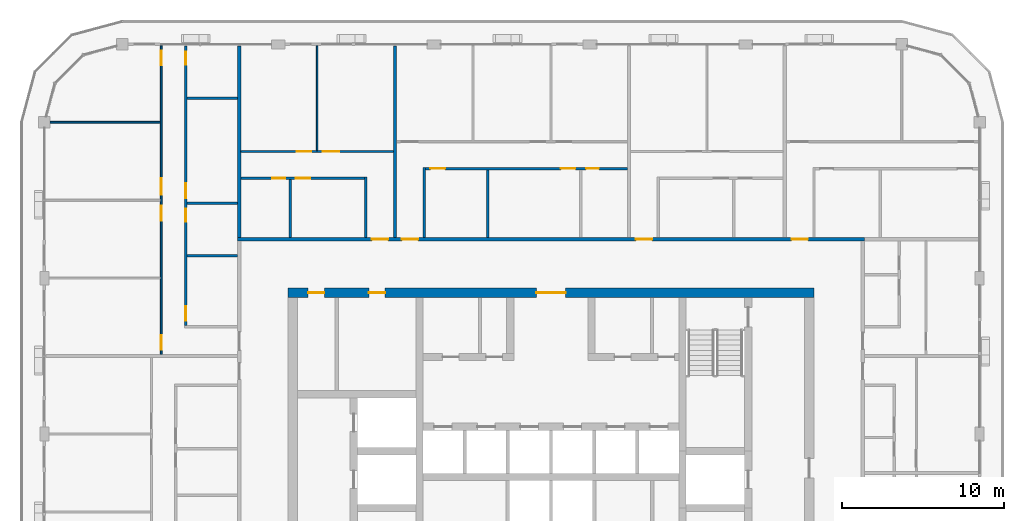
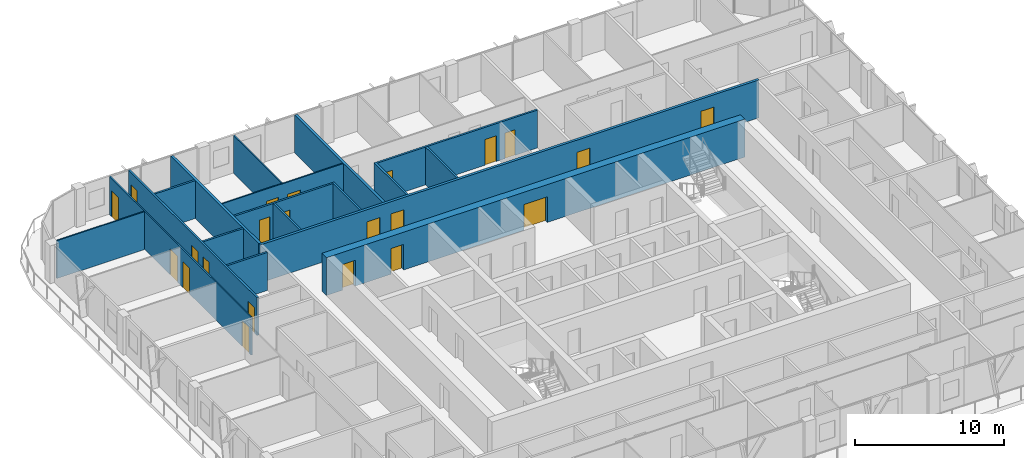
# One storey, part 14 of 22: 22 doors, 18 walls, 22 openings.
"""IFC4 building model written with IfcOpenShell, lengths in metres."""

import ifcopenshell
import ifcopenshell.guid

model = None  # the IFC model being written
_history = None  # IfcOwnerHistory: only IFC2X3 demands one
_inside = {}  # id of a spatial element -> (the spatial element, [elements in it])
_under = {}  # id of a project, library or spatial element -> (it, [spatial elements below it])
_declared = {}  # id of a project -> (the project, [libraries it declares])
_typed = {}  # id of a type object -> (the type object, [elements of that type])
_made_of = {}  # id of a material, layer set ... -> (it, [elements and type objects made of it])


def new_model(schema):
    """Start an empty IFC model of exactly this schema.

    Asked for "IFC4X3", IfcOpenShell would pick the latest addendum, in which some entities
    have other attributes; the version numbers below select the first issue.
    IFC2X3 requires an IfcOwnerHistory on every rooted entity: one is made here for all.
    """
    global model, _history
    if schema == "IFC4X3":
        model = ifcopenshell.file(schema_version=(4, 3, 0, 0))
    else:
        model = ifcopenshell.file(schema=schema)
    _inside.clear()
    _under.clear()
    _declared.clear()
    _typed.clear()
    _made_of.clear()
    _history = None
    if model.schema == "IFC2X3":
        org = make("IfcOrganization", Name="unknown")
        user = make(
            "IfcPersonAndOrganization",
            ThePerson=make("IfcPerson", FamilyName="unknown"),
            TheOrganization=org,
        )
        app = make(
            "IfcApplication",
            ApplicationDeveloper=org,
            Version="unknown",
            ApplicationFullName="unknown",
            ApplicationIdentifier="unknown",
        )
        _history = make(
            "IfcOwnerHistory",
            OwningUser=user,
            OwningApplication=app,
            ChangeAction="ADDED",
            CreationDate=0,
        )
    return model


def make(cls, **values):
    """One entity of the class cls with the attributes given. An attribute that is None is left unset."""
    return model.create_entity(
        cls, **{name: value for name, value in values.items() if value is not None}
    )


def rooted(cls, **values):
    """An entity with a GlobalId (a new one), such as an element, a storey or a relation."""
    return make(cls, GlobalId=ifcopenshell.guid.new(), OwnerHistory=_history, **values)


def si_unit(unit_type, name, prefix=None):
    """IfcSIUnit, for example si_unit("LENGTHUNIT", "METRE", prefix="MILLI")."""
    return make("IfcSIUnit", UnitType=unit_type, Prefix=prefix, Name=name)


def assignment(units):
    """IfcUnitAssignment: the units of a project."""
    return None if units is None else make("IfcUnitAssignment", Units=units)


def point(xyz):
    """IfcCartesianPoint."""
    return None if xyz is None else make("IfcCartesianPoint", Coordinates=xyz)


def direction(xyz):
    """IfcDirection."""
    return None if xyz is None else make("IfcDirection", DirectionRatios=xyz)


def frame(location, z_axis=None, x_axis=None):
    """IfcAxis2Placement3D, a coordinate frame: its origin and axes. An axis left out is left unset."""
    return make(
        "IfcAxis2Placement3D",
        Location=point(location),
        Axis=direction(z_axis),
        RefDirection=direction(x_axis),
    )


def frame_2d(location, x_axis=None):
    """IfcAxis2Placement2D, a coordinate frame in the plane: its origin and x axis."""
    return make(
        "IfcAxis2Placement2D", Location=point(location), RefDirection=direction(x_axis)
    )


def origin():
    """The frame at (0, 0, 0) with its axes left unset."""
    return frame((0.0, 0.0, 0.0))


def place(relative_to, where):
    """IfcLocalPlacement: puts the frame where relative to a parent placement (None: the world)."""
    return make(
        "IfcLocalPlacement", PlacementRelTo=relative_to, RelativePlacement=where
    )


def context(
    kind, dimensions, precision=None, world=None, true_north=None, identifier=None
):
    """IfcGeometricRepresentationContext, for example the 3D "Model" context."""
    return make(
        "IfcGeometricRepresentationContext",
        ContextIdentifier=identifier,
        ContextType=kind,
        CoordinateSpaceDimension=dimensions,
        Precision=precision,
        WorldCoordinateSystem=world,
        TrueNorth=true_north,
    )


def subcontext(parent, identifier, kind, view, scale=None):
    """IfcGeometricRepresentationSubContext, for example "Body" below "Model"."""
    return make(
        "IfcGeometricRepresentationSubContext",
        ContextIdentifier=identifier,
        ContextType=kind,
        ParentContext=parent,
        TargetScale=scale,
        TargetView=view,
    )


def project(units=None, contexts=None):
    """IfcProject with its units and contexts."""
    return rooted(
        "IfcProject",
        Name="project",
        RepresentationContexts=contexts,
        UnitsInContext=assignment(units),
    )


def spatial(cls, under=None, at=None, **own):
    """A site, building, storey or space (cls), placed at a placement, below another one or the project."""
    s = rooted(cls, ObjectPlacement=at, **own)
    if under is not None:
        _under.setdefault(under.id(), (under, []))[1].append(s)
    return s


def profile(cls, at=None, kind="AREA", **sizes):
    """A parametric profile (cls). Its sizes go by their IFC names, for example OverallWidth=200.0."""
    return make(cls, ProfileType=kind, Position=at, **sizes)


def rectangle(**sizes):
    """IfcRectangleProfileDef."""
    return profile("IfcRectangleProfileDef", **sizes)


def extrude(swept, where, along, depth):
    """IfcExtrudedAreaSolid: the profile swept, set in the frame where, extruded along a direction by depth."""
    return make(
        "IfcExtrudedAreaSolid",
        SweptArea=swept,
        Position=where,
        ExtrudedDirection=direction(along),
        Depth=depth,
    )


def shape(context_of_items, identifier, shape_type, items):
    """IfcShapeRepresentation: the items that make up one representation, for example the "Body"."""
    return make(
        "IfcShapeRepresentation",
        ContextOfItems=context_of_items,
        RepresentationIdentifier=identifier,
        RepresentationType=shape_type,
        Items=items,
    )


def material(Name=None, Category=None):
    """IfcMaterial."""
    return make("IfcMaterial", Name=Name, Category=Category)


def layer(
    of_material, thickness, ventilated=None, Name=None, Category=None, Priority=None
):
    """IfcMaterialLayer: one layer of a wall or slab, of a material (None: an air gap)."""
    return make(
        "IfcMaterialLayer",
        Material=of_material,
        LayerThickness=thickness,
        IsVentilated=ventilated,
        Name=Name,
        Category=Category,
        Priority=Priority,
    )


def layer_set(layers, Name=None):
    """IfcMaterialLayerSet."""
    return make("IfcMaterialLayerSet", MaterialLayers=layers, LayerSetName=Name)


def made_of(thing, what):
    """Note that an element or type object is made of a material, layer set ...; save() writes the relation."""
    if what is not None:
        _made_of.setdefault(what.id(), (what, []))[1].append(thing)
    return thing


def type_object(cls, material=None, **own):
    """A type object (cls), such as IfcWallType, which elements share."""
    return made_of(rooted(cls, **own), material)


def element(
    cls,
    number,
    at=None,
    inside=None,
    cuts=None,
    type_object=None,
    material=None,
    context=None,
    identifier="Body",
    shape_type=None,
    held_by="IfcProductDefinitionShape",
    body=None,
    shapes=None,
    **own,
):
    """One element of the class cls, such as IfcWall. Its Tag is "e" and its number.

    at: its placement. inside: the storey or other place that contains it. cuts: it is an
    opening in that element (IfcRelVoidsElement). A single representation is given by context,
    identifier, shape_type and body (its items); several are given by shapes. held_by: the class
    of the entity that holds the representations. save() writes the other relations.
    """
    e = rooted(cls, Tag="e%d" % number, ObjectPlacement=at, **own)
    if body is not None:
        shapes = [shape(context, identifier, shape_type, body)]
    if shapes is not None:
        e.Representation = make(held_by, Representations=shapes)
    if inside is not None:
        _inside.setdefault(inside.id(), (inside, []))[1].append(e)
    if cuts is not None:
        rooted(
            "IfcRelVoidsElement", RelatingBuildingElement=cuts, RelatedOpeningElement=e
        )
    if type_object is not None:
        _typed.setdefault(type_object.id(), (type_object, []))[1].append(e)
    return made_of(e, material)


def fill(opening, filler):
    """IfcRelFillsElement: the door or window that sits in an opening."""
    return rooted(
        "IfcRelFillsElement",
        RelatingOpeningElement=opening,
        RelatedBuildingElement=filler,
    )


def aggregate(whole, parts):
    """IfcRelAggregates: a whole, such as a stair, and the parts it consists of."""
    return rooted("IfcRelAggregates", RelatingObject=whole, RelatedObjects=parts)


def save(model, path):
    """Write the relations noted so far, then the file.

    IfcRelAggregates (storeys below a building ...), IfcRelContainedInSpatialStructure (elements
    in a storey), IfcRelDefinesByType, IfcRelAssociatesMaterial and IfcRelDeclares: one each for
    every whole, place, type object, material and project.
    """
    for whole, parts in _under.values():
        aggregate(whole, parts)
    for where, things in _inside.values():
        rooted(
            "IfcRelContainedInSpatialStructure",
            RelatedElements=things,
            RelatingStructure=where,
        )
    for kind, things in _typed.values():
        rooted("IfcRelDefinesByType", RelatedObjects=things, RelatingType=kind)
    for what, things in _made_of.values():
        rooted("IfcRelAssociatesMaterial", RelatedObjects=things, RelatingMaterial=what)
    for by, libraries in _declared.values():
        rooted("IfcRelDeclares", RelatingContext=by, RelatedDefinitions=libraries)
    model.write(path)


model = new_model("IFC4")

# Units and contexts
model_context = context("Model", 3, precision=1e-05, world=origin(), true_north=direction((0.0, 1.0)))
body_context = subcontext(model_context, "Body", "Model", "MODEL_VIEW")
ifc_project = project(units=[si_unit("LENGTHUNIT", "METRE"), si_unit("AREAUNIT", "SQUARE_METRE"), si_unit("VOLUMEUNIT", "CUBIC_METRE"), si_unit("PLANEANGLEUNIT", "RADIAN"), si_unit("MASSUNIT", "GRAM", prefix="KILO")], contexts=[model_context])

# Site, building, storey
site_placement = place(None, origin())
site = spatial("IfcSite", under=ifc_project, at=site_placement, CompositionType="ELEMENT")
building_placement = place(site_placement, origin())
building = spatial("IfcBuilding", under=site, at=building_placement, Name="Madar Terraces", CompositionType="ELEMENT")
storey_placement = place(building_placement, frame((0.0, 0.0, 259.699951171875)))
storey = spatial("IfcBuildingStorey", under=building, at=storey_placement, Name="L68", CompositionType="ELEMENT", Elevation=259.699951171875)

# Wall, openings, doors
ifc_material_1 = material(Name="Concrete C55/67", Category="concrete")
ifc_layer_1 = layer(ifc_material_1, 0.60009765625)
ifc_layer_set_1 = layer_set([ifc_layer_1], Name="Concrete C55/67 (CRW5 RC wall 600)")
wall_type_1 = type_object("IfcWallType", Name="CRW5 RC wall 600", PredefinedType="SHEAR", material=ifc_layer_set_1)
wall_1_placement = place(storey_placement, frame((15.0, 37.5, 0.0), z_axis=(0.0, 0.0, 1.0), x_axis=(1.0, 0.0, 0.0)))
wall_1 = element("IfcWall", 1, at=wall_1_placement, inside=storey, type_object=wall_type_1, Name="CORE OUTER WALL", PredefinedType="SHEAR", context=body_context, shape_type="SweptSolid", body=[
    extrude(rectangle(XDim=32.39990234375, YDim=0.60009765625, at=frame_2d((16.199951171875, 0.0))), origin(), (0.0, 0.0, 1.0), 3.10009765625),
])
opening_1_placement = place(wall_1_placement, frame((15.300048828125, 0.0, 0.0)))
opening_1 = element("IfcOpeningElement", 2, at=opening_1_placement, cuts=wall_1, Name="Opening KD1", PredefinedType="OPENING", context=body_context, shape_type="SweptSolid", body=[
    extrude(rectangle(XDim=1.800048828125, YDim=2.10009765625, at=frame_2d((0.89990234375, 1.050048828125))), frame((0.0, 0.31005859375, 0.0), z_axis=(0.0, -1.0, 0.0), x_axis=(1.0, 0.0, 0.0)), (0.0, 0.0, 1.0), 0.6201171875),
])
opening_2_placement = place(wall_1_placement, frame((1.25048828125, 0.0, 0.0)))
opening_2 = element("IfcOpeningElement", 3, at=opening_2_placement, cuts=wall_1, Name="Opening KD2", PredefinedType="OPENING", context=body_context, shape_type="SweptSolid", body=[
    extrude(rectangle(XDim=1.0, YDim=2.10009765625, at=frame_2d((0.5, 1.050048828125))), frame((0.0, 0.31005859375, 0.0), z_axis=(0.0, -1.0, 0.0), x_axis=(1.0, 0.0, 0.0)), (0.0, 0.0, 1.0), 0.6201171875),
])
opening_3_placement = place(wall_1_placement, frame((4.98779296875, 0.0, 0.0)))
opening_3 = element("IfcOpeningElement", 4, at=opening_3_placement, cuts=wall_1, Name="Opening KD2", PredefinedType="OPENING", context=body_context, shape_type="SweptSolid", body=[
    extrude(rectangle(XDim=1.0, YDim=2.10009765625, at=frame_2d((0.5, 1.050048828125))), frame((0.0, 0.31005859375, 0.0), z_axis=(0.0, -1.0, 0.0), x_axis=(1.0, 0.0, 0.0)), (0.0, 0.0, 1.0), 0.6201171875),
])
ifc_material_2 = material(Name="Steel door leaf", Category="steel")
door_type_1 = type_object("IfcDoorType", Name="Lobby door pair 1800 x 2100", OperationType="DOUBLE_DOOR_SINGLE_SWING", PredefinedType="DOOR", material=ifc_material_2)
door_1_placement = place(opening_1_placement, origin())
door_1 = element("IfcDoor", 5, at=door_1_placement, inside=storey, type_object=door_type_1, Name="LIFT LOBBY DOOR", OperationType="DOUBLE_DOOR_SINGLE_SWING", OverallHeight=2.10009765625, OverallWidth=1.800048828125, PredefinedType="DOOR", context=body_context, shape_type="SweptSolid", body=[
    extrude(rectangle(XDim=1.800048828125, YDim=2.10009765625, at=frame_2d((0.89990234375, 1.050048828125))), frame((0.0, 0.02490234375, 0.0), z_axis=(0.0, -1.0, 0.0), x_axis=(1.0, 0.0, 0.0)), (0.0, 0.0, 1.0), 0.050048828125),
])
fill(opening_1, door_1)
ifc_material_3 = material(Name="Steel door leaf", Category="steel")
door_type_2 = type_object("IfcDoorType", Name="Service room door 1000 x 2100", OperationType="NOTDEFINED", PredefinedType="DOOR", material=ifc_material_3)
door_2_placement = place(opening_2_placement, origin())
door_2 = element("IfcDoor", 6, at=door_2_placement, inside=storey, type_object=door_type_2, Name="SERVICE ROOM DOOR", OperationType="SINGLE_SWING_LEFT", OverallHeight=2.10009765625, OverallWidth=1.0, PredefinedType="DOOR", context=body_context, shape_type="SweptSolid", body=[
    extrude(rectangle(XDim=1.0, YDim=2.10009765625, at=frame_2d((0.5, 1.050048828125))), frame((0.0, 0.02490234375, 0.0), z_axis=(0.0, -1.0, 0.0), x_axis=(1.0, 0.0, 0.0)), (0.0, 0.0, 1.0), 0.050048828125),
])
fill(opening_2, door_2)
door_3_placement = place(opening_3_placement, origin())
door_3 = element("IfcDoor", 7, at=door_3_placement, inside=storey, type_object=door_type_2, Name="SERVICE ROOM DOOR", OperationType="SINGLE_SWING_RIGHT", OverallHeight=2.10009765625, OverallWidth=1.0, PredefinedType="DOOR", context=body_context, shape_type="SweptSolid", body=[
    extrude(rectangle(XDim=1.0, YDim=2.10009765625, at=frame_2d((0.5, 1.050048828125))), frame((0.0, 0.02490234375, 0.0), z_axis=(0.0, -1.0, 0.0), x_axis=(1.0, 0.0, 0.0)), (0.0, 0.0, 1.0), 0.050048828125),
])
fill(opening_3, door_3)

# Wall
ifc_material_4 = material(Name="Gypsum board on steel studs", Category="steel")
ifc_layer_2 = layer(ifc_material_4, 0.10009765625)
ifc_layer_set_2 = layer_set([ifc_layer_2], Name="Flat partition 100")
wall_type_2 = type_object("IfcWallType", Name="Flat partition 100", PredefinedType="PARTITIONING", material=ifc_layer_set_2)
wall_2_placement = place(storey_placement, frame((16.800048828125, 46.25, 0.0), z_axis=(0.0, 0.0, 1.0), x_axis=(0.0, 1.0, 0.0)))
element("IfcWall", 8, at=wall_2_placement, inside=storey, type_object=wall_type_2, Name="Flat partition 100", PredefinedType="PARTITIONING", context=body_context, shape_type="SweptSolid", body=[
    extrude(rectangle(XDim=6.449951171875, YDim=0.10009765625, at=frame_2d((3.22509765625, 0.0))), origin(), (0.0, 0.0, 1.0), 3.10009765625),
])

# Wall, openings, doors
wall_3_placement = place(storey_placement, frame((12.10009765625, 46.199951171875, 0.0), z_axis=(0.0, 0.0, 1.0), x_axis=(1.0, 0.0, 0.0)))
wall_3 = element("IfcWall", 9, at=wall_3_placement, inside=storey, type_object=wall_type_2, Name="Flat partition 100", PredefinedType="PARTITIONING", context=body_context, shape_type="SweptSolid", body=[
    extrude(rectangle(XDim=9.39990234375, YDim=0.10009765625, at=frame_2d((4.699951171875, 0.0))), origin(), (0.0, 0.0, 1.0), 3.10009765625),
])
opening_4_placement = place(wall_3_placement, frame((5.050048828125, 0.0, 0.0)))
opening_4 = element("IfcOpeningElement", 10, at=opening_4_placement, cuts=wall_3, Name="Opening D3", PredefinedType="OPENING", context=body_context, shape_type="SweptSolid", body=[
    extrude(rectangle(XDim=1.0, YDim=2.10009765625, at=frame_2d((0.5, 1.050048828125))), frame((0.0, 0.06005859375, 0.0), z_axis=(0.0, -1.0, 0.0), x_axis=(1.0, 0.0, 0.0)), (0.0, 0.0, 1.0), 0.1201171875),
])
opening_5_placement = place(wall_3_placement, frame((3.449951171875, 0.0, 0.0)))
opening_5 = element("IfcOpeningElement", 11, at=opening_5_placement, cuts=wall_3, Name="Opening D2", PredefinedType="OPENING", context=body_context, shape_type="SweptSolid", body=[
    extrude(rectangle(XDim=0.89990234375, YDim=2.10009765625, at=frame_2d((0.449951171875, 1.050048828125))), frame((0.0, 0.06005859375, 0.0), z_axis=(0.0, -1.0, 0.0), x_axis=(1.0, 0.0, 0.0)), (0.0, 0.0, 1.0), 0.1201171875),
])
ifc_material_5 = material(Name="Timber door leaf", Category="wood")
door_type_3 = type_object("IfcDoorType", Name="Flat living room door 1000", OperationType="NOTDEFINED", PredefinedType="DOOR", material=ifc_material_5)
door_4_placement = place(opening_4_placement, origin())
door_4 = element("IfcDoor", 12, at=door_4_placement, inside=storey, type_object=door_type_3, Name="Flat living room door 1000", OperationType="SINGLE_SWING_LEFT", OverallHeight=2.10009765625, OverallWidth=1.0, PredefinedType="DOOR", context=body_context, shape_type="SweptSolid", body=[
    extrude(rectangle(XDim=1.0, YDim=2.10009765625, at=frame_2d((0.5, 1.050048828125))), frame((0.0, 0.02490234375, 0.0), z_axis=(0.0, -1.0, 0.0), x_axis=(1.0, 0.0, 0.0)), (0.0, 0.0, 1.0), 0.050048828125),
])
fill(opening_4, door_4)
ifc_material_6 = material(Name="Timber door leaf", Category="wood")
door_type_4 = type_object("IfcDoorType", Name="Flat room door 900", OperationType="NOTDEFINED", PredefinedType="DOOR", material=ifc_material_6)
door_5_placement = place(opening_5_placement, origin())
door_5 = element("IfcDoor", 13, at=door_5_placement, inside=storey, type_object=door_type_4, Name="Flat room door 900", OperationType="SINGLE_SWING_RIGHT", OverallHeight=2.10009765625, OverallWidth=0.89990234375, PredefinedType="DOOR", context=body_context, shape_type="SweptSolid", body=[
    extrude(rectangle(XDim=0.89990234375, YDim=2.10009765625, at=frame_2d((0.449951171875, 1.050048828125))), frame((0.0, 0.02490234375, 0.0), z_axis=(0.0, -1.0, 0.0), x_axis=(1.0, 0.0, 0.0)), (0.0, 0.0, 1.0), 0.050048828125),
])
fill(opening_5, door_5)

# Wall
wall_4_placement = place(storey_placement, frame((7.14990234375, 48.0, 0.0), z_axis=(0.0, 0.0, 1.0), x_axis=(-1.0, 0.0, 0.0)))
element("IfcWall", 14, at=wall_4_placement, inside=storey, type_object=wall_type_2, Name="Flat partition 100", PredefinedType="PARTITIONING", context=body_context, shape_type="SweptSolid", body=[
    extrude(rectangle(XDim=6.7998046875, YDim=0.10009765625, at=frame_2d((3.39990234375, 0.0))), origin(), (0.0, 0.0, 1.0), 3.10009765625),
])

# Wall, openings, doors
wall_5_placement = place(storey_placement, frame((7.199951171875, 33.699951171875, 0.0), z_axis=(0.0, 0.0, 1.0), x_axis=(0.0, 1.0, 0.0)))
wall_5 = element("IfcWall", 15, at=wall_5_placement, inside=storey, type_object=wall_type_2, Name="Flat partition 100", PredefinedType="PARTITIONING", context=body_context, shape_type="SweptSolid", body=[
    extrude(rectangle(XDim=19.0, YDim=0.10009765625, at=frame_2d((9.5, 0.0))), origin(), (0.0, 0.0, 1.0), 3.10009765625),
])
opening_6_placement = place(wall_5_placement, frame((0.300048828125, 0.0, 0.0)))
opening_6 = element("IfcOpeningElement", 16, at=opening_6_placement, cuts=wall_5, Name="Opening D2", PredefinedType="OPENING", context=body_context, shape_type="SweptSolid", body=[
    extrude(rectangle(XDim=0.89990234375, YDim=2.10009765625, at=frame_2d((0.449951171875, 1.050048828125))), frame((0.0, 0.06005859375, 0.0), z_axis=(0.0, -1.0, 0.0), x_axis=(1.0, 0.0, 0.0)), (0.0, 0.0, 1.0), 0.1201171875),
])
opening_7_placement = place(wall_5_placement, frame((8.25, 0.0, 0.0)))
opening_7 = element("IfcOpeningElement", 17, at=opening_7_placement, cuts=wall_5, Name="Opening D2", PredefinedType="OPENING", context=body_context, shape_type="SweptSolid", body=[
    extrude(rectangle(XDim=0.89990234375, YDim=2.10009765625, at=frame_2d((0.449951171875, 1.050048828125))), frame((0.0, 0.06005859375, 0.0), z_axis=(0.0, -1.0, 0.0), x_axis=(1.0, 0.0, 0.0)), (0.0, 0.0, 1.0), 0.1201171875),
])
opening_8_placement = place(wall_5_placement, frame((9.85009765625, 0.0, 0.0)))
opening_8 = element("IfcOpeningElement", 18, at=opening_8_placement, cuts=wall_5, Name="Opening D3", PredefinedType="OPENING", context=body_context, shape_type="SweptSolid", body=[
    extrude(rectangle(XDim=1.0, YDim=2.10009765625, at=frame_2d((0.5, 1.050048828125))), frame((0.0, 0.06005859375, 0.0), z_axis=(0.0, -1.0, 0.0), x_axis=(1.0, 0.0, 0.0)), (0.0, 0.0, 1.0), 0.1201171875),
])
opening_9_placement = place(wall_5_placement, frame((17.800048828125, 0.0, 0.0)))
opening_9 = element("IfcOpeningElement", 19, at=opening_9_placement, cuts=wall_5, Name="Opening D2", PredefinedType="OPENING", context=body_context, shape_type="SweptSolid", body=[
    extrude(rectangle(XDim=0.89990234375, YDim=2.10009765625, at=frame_2d((0.449951171875, 1.050048828125))), frame((0.0, 0.06005859375, 0.0), z_axis=(0.0, -1.0, 0.0), x_axis=(1.0, 0.0, 0.0)), (0.0, 0.0, 1.0), 0.1201171875),
])
door_6_placement = place(opening_8_placement, origin())
door_6 = element("IfcDoor", 20, at=door_6_placement, inside=storey, type_object=door_type_3, Name="Flat living room door 1000", OperationType="SINGLE_SWING_LEFT", OverallHeight=2.10009765625, OverallWidth=1.0, PredefinedType="DOOR", context=body_context, shape_type="SweptSolid", body=[
    extrude(rectangle(XDim=1.0, YDim=2.10009765625, at=frame_2d((0.5, 1.050048828125))), frame((0.0, 0.02490234375, 0.0), z_axis=(0.0, -1.0, 0.0), x_axis=(1.0, 0.0, 0.0)), (0.0, 0.0, 1.0), 0.050048828125),
])
fill(opening_8, door_6)
door_7_placement = place(opening_6_placement, origin())
door_7 = element("IfcDoor", 21, at=door_7_placement, inside=storey, type_object=door_type_4, Name="Flat room door 900", OperationType="SINGLE_SWING_LEFT", OverallHeight=2.10009765625, OverallWidth=0.89990234375, PredefinedType="DOOR", context=body_context, shape_type="SweptSolid", body=[
    extrude(rectangle(XDim=0.89990234375, YDim=2.10009765625, at=frame_2d((0.449951171875, 1.050048828125))), frame((0.0, 0.02490234375, 0.0), z_axis=(0.0, -1.0, 0.0), x_axis=(1.0, 0.0, 0.0)), (0.0, 0.0, 1.0), 0.050048828125),
])
fill(opening_6, door_7)
door_8_placement = place(opening_7_placement, origin())
door_8 = element("IfcDoor", 22, at=door_8_placement, inside=storey, type_object=door_type_4, Name="Flat room door 900", OperationType="SINGLE_SWING_RIGHT", OverallHeight=2.10009765625, OverallWidth=0.89990234375, PredefinedType="DOOR", context=body_context, shape_type="SweptSolid", body=[
    extrude(rectangle(XDim=0.89990234375, YDim=2.10009765625, at=frame_2d((0.449951171875, 1.050048828125))), frame((0.0, 0.02490234375, 0.0), z_axis=(0.0, -1.0, 0.0), x_axis=(1.0, 0.0, 0.0)), (0.0, 0.0, 1.0), 0.050048828125),
])
fill(opening_7, door_8)
door_9_placement = place(opening_9_placement, origin())
door_9 = element("IfcDoor", 23, at=door_9_placement, inside=storey, type_object=door_type_4, Name="Flat room door 900", OperationType="SINGLE_SWING_RIGHT", OverallHeight=2.10009765625, OverallWidth=0.89990234375, PredefinedType="DOOR", context=body_context, shape_type="SweptSolid", body=[
    extrude(rectangle(XDim=0.89990234375, YDim=2.10009765625, at=frame_2d((0.449951171875, 1.050048828125))), frame((0.0, 0.02490234375, 0.0), z_axis=(0.0, -1.0, 0.0), x_axis=(1.0, 0.0, 0.0)), (0.0, 0.0, 1.0), 0.050048828125),
])
fill(opening_9, door_9)

ifc_material_7 = material(Name="Lightweight blockwork", Category="masonry")
ifc_layer_3 = layer(ifc_material_7, 0.199951171875)
ifc_layer_set_3 = layer_set([ifc_layer_3], Name="Flat party and entrance wall 200")
wall_type_3 = type_object("IfcWallType", Name="Flat party and entrance wall 200", PredefinedType="PARTITIONING", material=ifc_layer_set_3)
wall_6_placement = place(storey_placement, frame((11.89990234375, 40.800048828125, 0.0), z_axis=(0.0, 0.0, 1.0), x_axis=(1.0, 0.0, 0.0)))
wall_6 = element("IfcWall", 24, at=wall_6_placement, inside=storey, type_object=wall_type_3, Name="Flat party and entrance wall 200", PredefinedType="PARTITIONING", context=body_context, shape_type="SweptSolid", body=[
    extrude(rectangle(XDim=38.60009765625, YDim=0.199951171875, at=frame_2d((19.300048828125, 0.0))), origin(), (0.0, 0.0, 1.0), 3.10009765625),
])
opening_10_placement = place(wall_6_placement, frame((34.125, 0.0, 0.0)))
opening_10 = element("IfcOpeningElement", 25, at=opening_10_placement, cuts=wall_6, Name="Opening D1", PredefinedType="OPENING", context=body_context, shape_type="SweptSolid", body=[
    extrude(rectangle(XDim=1.0, YDim=2.10009765625, at=frame_2d((0.5, 1.050048828125))), frame((0.0, 0.10986328125, 0.0), z_axis=(0.0, -1.0, 0.0), x_axis=(1.0, 0.0, 0.0)), (0.0, 0.0, 1.0), 0.219970703125),
])
opening_11_placement = place(wall_6_placement, frame((24.52490234375, 0.0, 0.0)))
opening_11 = element("IfcOpeningElement", 26, at=opening_11_placement, cuts=wall_6, Name="Opening D1", PredefinedType="OPENING", context=body_context, shape_type="SweptSolid", body=[
    extrude(rectangle(XDim=1.0, YDim=2.10009765625, at=frame_2d((0.5, 1.050048828125))), frame((0.0, 0.10986328125, 0.0), z_axis=(0.0, -1.0, 0.0), x_axis=(1.0, 0.0, 0.0)), (0.0, 0.0, 1.0), 0.219970703125),
])
opening_12_placement = place(wall_6_placement, frame((10.125, 0.0, 0.0)))
opening_12 = element("IfcOpeningElement", 27, at=opening_12_placement, cuts=wall_6, Name="Opening D1", PredefinedType="OPENING", context=body_context, shape_type="SweptSolid", body=[
    extrude(rectangle(XDim=1.0, YDim=2.10009765625, at=frame_2d((0.5, 1.050048828125))), frame((0.0, 0.10986328125, 0.0), z_axis=(0.0, -1.0, 0.0), x_axis=(1.0, 0.0, 0.0)), (0.0, 0.0, 1.0), 0.219970703125),
])
opening_13_placement = place(wall_6_placement, frame((8.27490234375, 0.0, 0.0)))
opening_13 = element("IfcOpeningElement", 28, at=opening_13_placement, cuts=wall_6, Name="Opening D1", PredefinedType="OPENING", context=body_context, shape_type="SweptSolid", body=[
    extrude(rectangle(XDim=1.0, YDim=2.10009765625, at=frame_2d((0.5, 1.050048828125))), frame((0.0, 0.10986328125, 0.0), z_axis=(0.0, -1.0, 0.0), x_axis=(1.0, 0.0, 0.0)), (0.0, 0.0, 1.0), 0.219970703125),
])
ifc_material_8 = material(Name="Timber fire door leaf", Category="wood")
door_type_5 = type_object("IfcDoorType", Name="Flat entrance door 1000 FD30S", OperationType="NOTDEFINED", PredefinedType="DOOR", material=ifc_material_8)
door_10_placement = place(opening_10_placement, origin())
door_10 = element("IfcDoor", 29, at=door_10_placement, inside=storey, type_object=door_type_5, Name="Flat entrance door 1000 FD30S", OperationType="SINGLE_SWING_LEFT", OverallHeight=2.10009765625, OverallWidth=1.0, PredefinedType="DOOR", context=body_context, shape_type="SweptSolid", body=[
    extrude(rectangle(XDim=1.0, YDim=2.10009765625, at=frame_2d((0.5, 1.050048828125))), frame((0.0, 0.02490234375, 0.0), z_axis=(0.0, -1.0, 0.0), x_axis=(1.0, 0.0, 0.0)), (0.0, 0.0, 1.0), 0.050048828125),
])
fill(opening_10, door_10)
door_11_placement = place(opening_11_placement, origin())
door_11 = element("IfcDoor", 30, at=door_11_placement, inside=storey, type_object=door_type_5, Name="Flat entrance door 1000 FD30S", OperationType="SINGLE_SWING_LEFT", OverallHeight=2.10009765625, OverallWidth=1.0, PredefinedType="DOOR", context=body_context, shape_type="SweptSolid", body=[
    extrude(rectangle(XDim=1.0, YDim=2.10009765625, at=frame_2d((0.5, 1.050048828125))), frame((0.0, 0.02490234375, 0.0), z_axis=(0.0, -1.0, 0.0), x_axis=(1.0, 0.0, 0.0)), (0.0, 0.0, 1.0), 0.050048828125),
])
fill(opening_11, door_11)
door_12_placement = place(opening_12_placement, origin())
door_12 = element("IfcDoor", 31, at=door_12_placement, inside=storey, type_object=door_type_5, Name="Flat entrance door 1000 FD30S", OperationType="SINGLE_SWING_LEFT", OverallHeight=2.10009765625, OverallWidth=1.0, PredefinedType="DOOR", context=body_context, shape_type="SweptSolid", body=[
    extrude(rectangle(XDim=1.0, YDim=2.10009765625, at=frame_2d((0.5, 1.050048828125))), frame((0.0, 0.02490234375, 0.0), z_axis=(0.0, -1.0, 0.0), x_axis=(1.0, 0.0, 0.0)), (0.0, 0.0, 1.0), 0.050048828125),
])
fill(opening_12, door_12)
door_13_placement = place(opening_13_placement, origin())
door_13 = element("IfcDoor", 32, at=door_13_placement, inside=storey, type_object=door_type_5, Name="Flat entrance door 1000 FD30S", OperationType="SINGLE_SWING_RIGHT", OverallHeight=2.10009765625, OverallWidth=1.0, PredefinedType="DOOR", context=body_context, shape_type="SweptSolid", body=[
    extrude(rectangle(XDim=1.0, YDim=2.10009765625, at=frame_2d((0.5, 1.050048828125))), frame((0.0, 0.02490234375, 0.0), z_axis=(0.0, -1.0, 0.0), x_axis=(1.0, 0.0, 0.0)), (0.0, 0.0, 1.0), 0.050048828125),
])
fill(opening_13, door_13)

# Walls
for number, where, z_axis, x_axis, name in (
    (33, (21.60009765625, 52.699951171875, 0.0), (0.0, 0.0, 1.0), (0.0, -1.0, 0.0), "Flat party and entrance wall 200"),
    (34, (12.0, 52.699951171875, 0.0), (0.0, 0.0, 1.0), (0.0, -1.0, 0.0), "Flat party and entrance wall 200"),
):
    element("IfcWall", number, at=place(storey_placement, frame(where, z_axis=z_axis, x_axis=x_axis)), inside=storey, type_object=wall_type_3, Name=name, PredefinedType="PARTITIONING", context=body_context, shape_type="SweptSolid", body=[
        extrude(rectangle(XDim=11.800048828125, YDim=0.199951171875, at=frame_2d((5.89990234375, 0.0))), origin(), (0.0, 0.0, 1.0), 3.10009765625),
    ])
ifc_material_9 = material(Name="Lightweight blockwork", Category="masonry")
ifc_layer_4 = layer(ifc_material_9, 0.14990234375)
ifc_layer_set_4 = layer_set([ifc_layer_4], Name="Flat wet-room partition 150")
wall_type_4 = type_object("IfcWallType", Name="Flat wet-room partition 150", PredefinedType="PARTITIONING", material=ifc_layer_set_4)
wall_7_placement = place(storey_placement, frame((27.298095703125, 40.89990234375, 0.0), z_axis=(0.0, 0.0, 1.0), x_axis=(0.0, 1.0, 0.0)))
element("IfcWall", 35, at=wall_7_placement, inside=storey, type_object=wall_type_4, Name="Flat wet-room partition 150", PredefinedType="PARTITIONING", context=body_context, shape_type="SweptSolid", body=[
    extrude(rectangle(XDim=4.175048828125, YDim=0.14990234375, at=frame_2d((2.08740234375, 0.0))), origin(), (0.0, 0.0, 1.0), 3.10009765625),
])
wall_8_placement = place(storey_placement, frame((23.39990234375, 40.89990234375, 0.0), z_axis=(0.0, 0.0, 1.0), x_axis=(0.0, 1.0, 0.0)))
element("IfcWall", 36, at=wall_8_placement, inside=storey, type_object=wall_type_4, Name="Flat wet-room partition 150", PredefinedType="PARTITIONING", context=body_context, shape_type="SweptSolid", body=[
    extrude(rectangle(XDim=4.3251953125, YDim=0.14990234375, at=frame_2d((2.16259765625, 0.0))), origin(), (0.0, 0.0, 1.0), 3.10009765625),
])

# Wall, openings, doors
wall_9_placement = place(storey_placement, frame((35.89990234375, 45.14990234375, 0.0), z_axis=(0.0, 0.0, 1.0), x_axis=(-1.0, 0.0, 0.0)))
wall_9 = element("IfcWall", 37, at=wall_9_placement, inside=storey, type_object=wall_type_4, Name="Flat wet-room partition 150", PredefinedType="PARTITIONING", context=body_context, shape_type="SweptSolid", body=[
    extrude(rectangle(XDim=12.4248046875, YDim=0.14990234375, at=frame_2d((6.21240234375, 0.0))), origin(), (0.0, 0.0, 1.0), 3.10009765625),
])
opening_14_placement = place(wall_9_placement, frame((11.22509765625, 0.0, 0.0)))
opening_14 = element("IfcOpeningElement", 38, at=opening_14_placement, cuts=wall_9, Name="Opening D5", PredefinedType="OPENING", context=body_context, shape_type="SweptSolid", body=[
    extrude(rectangle(XDim=0.89990234375, YDim=2.10009765625, at=frame_2d((0.449951171875, 1.050048828125))), frame((0.0, 0.0849609375, 0.0), z_axis=(0.0, -1.0, 0.0), x_axis=(1.0, 0.0, 0.0)), (0.0, 0.0, 1.0), 0.169921875),
])
opening_15_placement = place(wall_9_placement, frame((3.1923828125, 0.0, 0.0)))
opening_15 = element("IfcOpeningElement", 39, at=opening_15_placement, cuts=wall_9, Name="Opening D2", PredefinedType="OPENING", context=body_context, shape_type="SweptSolid", body=[
    extrude(rectangle(XDim=0.89990234375, YDim=2.10009765625, at=frame_2d((0.449951171875, 1.050048828125))), frame((0.0, 0.0849609375, 0.0), z_axis=(0.0, -1.0, 0.0), x_axis=(1.0, 0.0, 0.0)), (0.0, 0.0, 1.0), 0.169921875),
])
opening_16_placement = place(wall_9_placement, frame((1.7421875, 0.0, 0.0)))
opening_16 = element("IfcOpeningElement", 40, at=opening_16_placement, cuts=wall_9, Name="Opening D4", PredefinedType="OPENING", context=body_context, shape_type="SweptSolid", body=[
    extrude(rectangle(XDim=0.800048828125, YDim=2.10009765625, at=frame_2d((0.39990234375, 1.050048828125))), frame((0.0, 0.0849609375, 0.0), z_axis=(0.0, -1.0, 0.0), x_axis=(1.0, 0.0, 0.0)), (0.0, 0.0, 1.0), 0.169921875),
])
ifc_material_10 = material(Name="Timber door leaf", Category="wood")
door_type_6 = type_object("IfcDoorType", Name="Flat accessible bathroom door 900", OperationType="NOTDEFINED", PredefinedType="DOOR", material=ifc_material_10)
door_14_placement = place(opening_14_placement, origin())
door_14 = element("IfcDoor", 41, at=door_14_placement, inside=storey, type_object=door_type_6, Name="Flat accessible bathroom door 900", OperationType="SINGLE_SWING_RIGHT", OverallHeight=2.10009765625, OverallWidth=0.89990234375, PredefinedType="DOOR", context=body_context, shape_type="SweptSolid", body=[
    extrude(rectangle(XDim=0.89990234375, YDim=2.10009765625, at=frame_2d((0.449951171875, 1.050048828125))), frame((0.0, 0.02490234375, 0.0), z_axis=(0.0, -1.0, 0.0), x_axis=(1.0, 0.0, 0.0)), (0.0, 0.0, 1.0), 0.050048828125),
])
fill(opening_14, door_14)
ifc_material_11 = material(Name="Timber door leaf", Category="wood")
door_type_7 = type_object("IfcDoorType", Name="Flat bathroom door 800", OperationType="NOTDEFINED", PredefinedType="DOOR", material=ifc_material_11)
door_15_placement = place(opening_16_placement, origin())
door_15 = element("IfcDoor", 42, at=door_15_placement, inside=storey, type_object=door_type_7, Name="Flat bathroom door 800", OperationType="SINGLE_SWING_RIGHT", OverallHeight=2.10009765625, OverallWidth=0.800048828125, PredefinedType="DOOR", context=body_context, shape_type="SweptSolid", body=[
    extrude(rectangle(XDim=0.800048828125, YDim=2.10009765625, at=frame_2d((0.39990234375, 1.050048828125))), frame((0.0, 0.02490234375, 0.0), z_axis=(0.0, -1.0, 0.0), x_axis=(1.0, 0.0, 0.0)), (0.0, 0.0, 1.0), 0.050048828125),
])
fill(opening_16, door_15)
door_16_placement = place(opening_15_placement, origin())
door_16 = element("IfcDoor", 43, at=door_16_placement, inside=storey, type_object=door_type_4, Name="Flat room door 900", OperationType="SINGLE_SWING_LEFT", OverallHeight=2.10009765625, OverallWidth=0.89990234375, PredefinedType="DOOR", context=body_context, shape_type="SweptSolid", body=[
    extrude(rectangle(XDim=0.89990234375, YDim=2.10009765625, at=frame_2d((0.449951171875, 1.050048828125))), frame((0.0, 0.02490234375, 0.0), z_axis=(0.0, -1.0, 0.0), x_axis=(1.0, 0.0, 0.0)), (0.0, 0.0, 1.0), 0.050048828125),
])
fill(opening_15, door_16)

# Walls
wall_10_placement = place(storey_placement, frame((15.14990234375, 40.89990234375, 0.0), z_axis=(0.0, 0.0, 1.0), x_axis=(0.0, 1.0, 0.0)))
element("IfcWall", 44, at=wall_10_placement, inside=storey, type_object=wall_type_4, Name="Flat wet-room partition 150", PredefinedType="PARTITIONING", context=body_context, shape_type="SweptSolid", body=[
    extrude(rectangle(XDim=3.5751953125, YDim=0.14990234375, at=frame_2d((1.78759765625, 0.0))), origin(), (0.0, 0.0, 1.0), 3.10009765625),
])
wall_11_placement = place(storey_placement, frame((19.800048828125, 40.89990234375, 0.0), z_axis=(0.0, 0.0, 1.0), x_axis=(0.0, 1.0, 0.0)))
element("IfcWall", 45, at=wall_11_placement, inside=storey, type_object=wall_type_4, Name="Flat wet-room partition 150", PredefinedType="PARTITIONING", context=body_context, shape_type="SweptSolid", body=[
    extrude(rectangle(XDim=3.72509765625, YDim=0.14990234375, at=frame_2d((1.862548828125, 0.0))), origin(), (0.0, 0.0, 1.0), 3.10009765625),
])

# Wall, openings, doors
wall_12_placement = place(storey_placement, frame((19.72509765625, 44.550048828125, 0.0), z_axis=(0.0, 0.0, 1.0), x_axis=(-1.0, 0.0, 0.0)))
wall_12 = element("IfcWall", 46, at=wall_12_placement, inside=storey, type_object=wall_type_4, Name="Flat wet-room partition 150", PredefinedType="PARTITIONING", context=body_context, shape_type="SweptSolid", body=[
    extrude(rectangle(XDim=7.625, YDim=0.14990234375, at=frame_2d((3.8125, 0.0))), origin(), (0.0, 0.0, 1.0), 3.10009765625),
])
opening_17_placement = place(wall_12_placement, frame((3.35009765625, 0.0, 0.0)))
opening_17 = element("IfcOpeningElement", 47, at=opening_17_placement, cuts=wall_12, Name="Opening D2", PredefinedType="OPENING", context=body_context, shape_type="SweptSolid", body=[
    extrude(rectangle(XDim=0.89990234375, YDim=2.10009765625, at=frame_2d((0.449951171875, 1.050048828125))), frame((0.0, 0.0849609375, 0.0), z_axis=(0.0, -1.0, 0.0), x_axis=(1.0, 0.0, 0.0)), (0.0, 0.0, 1.0), 0.169921875),
])
opening_18_placement = place(wall_12_placement, frame((4.89990234375, 0.0, 0.0)))
opening_18 = element("IfcOpeningElement", 48, at=opening_18_placement, cuts=wall_12, Name="Opening D4", PredefinedType="OPENING", context=body_context, shape_type="SweptSolid", body=[
    extrude(rectangle(XDim=0.800048828125, YDim=2.10009765625, at=frame_2d((0.39990234375, 1.050048828125))), frame((0.0, 0.0849609375, 0.0), z_axis=(0.0, -1.0, 0.0), x_axis=(1.0, 0.0, 0.0)), (0.0, 0.0, 1.0), 0.169921875),
])
door_17_placement = place(opening_18_placement, origin())
door_17 = element("IfcDoor", 49, at=door_17_placement, inside=storey, type_object=door_type_7, Name="Flat bathroom door 800", OperationType="SINGLE_SWING_LEFT", OverallHeight=2.10009765625, OverallWidth=0.800048828125, PredefinedType="DOOR", context=body_context, shape_type="SweptSolid", body=[
    extrude(rectangle(XDim=0.800048828125, YDim=2.10009765625, at=frame_2d((0.39990234375, 1.050048828125))), frame((0.0, 0.02490234375, 0.0), z_axis=(0.0, -1.0, 0.0), x_axis=(1.0, 0.0, 0.0)), (0.0, 0.0, 1.0), 0.050048828125),
])
fill(opening_18, door_17)
door_18_placement = place(opening_17_placement, origin())
door_18 = element("IfcDoor", 50, at=door_18_placement, inside=storey, type_object=door_type_4, Name="Flat room door 900", OperationType="SINGLE_SWING_RIGHT", OverallHeight=2.10009765625, OverallWidth=0.89990234375, PredefinedType="DOOR", context=body_context, shape_type="SweptSolid", body=[
    extrude(rectangle(XDim=0.89990234375, YDim=2.10009765625, at=frame_2d((0.449951171875, 1.050048828125))), frame((0.0, 0.02490234375, 0.0), z_axis=(0.0, -1.0, 0.0), x_axis=(1.0, 0.0, 0.0)), (0.0, 0.0, 1.0), 0.050048828125),
])
fill(opening_17, door_18)

# Walls
for number, where, z_axis, x_axis, name in (
    (51, (11.89990234375, 39.78125, 0.0), (0.0, 0.0, 1.0), (-1.0, 0.0, 0.0), "Flat wet-room partition 150"),
    (52, (11.89990234375, 43.010986328125, 0.0), (0.0, 0.0, 1.0), (-1.0, 0.0, 0.0), "Flat wet-room partition 150"),
    (53, (11.89990234375, 49.47021484375, 0.0), (0.0, 0.0, 1.0), (-1.0, 0.0, 0.0), "Flat wet-room partition 150"),
):
    element("IfcWall", number, at=place(storey_placement, frame(where, z_axis=z_axis, x_axis=x_axis)), inside=storey, type_object=wall_type_4, Name=name, PredefinedType="PARTITIONING", context=body_context, shape_type="SweptSolid", body=[
        extrude(rectangle(XDim=3.125, YDim=0.14990234375, at=frame_2d((1.5625, 0.0))), origin(), (0.0, 0.0, 1.0), 3.10009765625),
    ])

# Wall, openings, doors
wall_13_placement = place(storey_placement, frame((8.699951171875, 52.699951171875, 0.0), z_axis=(0.0, 0.0, 1.0), x_axis=(0.0, -1.0, 0.0)))
wall_13 = element("IfcWall", 54, at=wall_13_placement, inside=storey, type_object=wall_type_4, Name="Flat wet-room partition 150", PredefinedType="PARTITIONING", context=body_context, shape_type="SweptSolid", body=[
    extrude(rectangle(XDim=17.224853515625, YDim=0.14990234375, at=frame_2d((8.6123046875, 0.0))), origin(), (0.0, 0.0, 1.0), 3.10009765625),
])
opening_19_placement = place(wall_13_placement, frame((16.02490234375, 0.0, 0.0)))
opening_19 = element("IfcOpeningElement", 55, at=opening_19_placement, cuts=wall_13, Name="Opening D5", PredefinedType="OPENING", context=body_context, shape_type="SweptSolid", body=[
    extrude(rectangle(XDim=0.89990234375, YDim=2.10009765625, at=frame_2d((0.449951171875, 1.050048828125))), frame((0.0, 0.0849609375, 0.0), z_axis=(0.0, -1.0, 0.0), x_axis=(1.0, 0.0, 0.0)), (0.0, 0.0, 1.0), 0.169921875),
])
opening_20_placement = place(wall_13_placement, frame((10.01416015625, 0.0, 0.0)))
opening_20 = element("IfcOpeningElement", 56, at=opening_20_placement, cuts=wall_13, Name="Opening D7", PredefinedType="OPENING", context=body_context, shape_type="SweptSolid", body=[
    extrude(rectangle(XDim=0.800048828125, YDim=2.10009765625, at=frame_2d((0.39990234375, 1.050048828125))), frame((0.0, 0.0849609375, 0.0), z_axis=(0.0, -1.0, 0.0), x_axis=(1.0, 0.0, 0.0)), (0.0, 0.0, 1.0), 0.169921875),
])
opening_21_placement = place(wall_13_placement, frame((8.464111328125, 0.0, 0.0)))
opening_21 = element("IfcOpeningElement", 57, at=opening_21_placement, cuts=wall_13, Name="Opening D2", PredefinedType="OPENING", context=body_context, shape_type="SweptSolid", body=[
    extrude(rectangle(XDim=0.89990234375, YDim=2.10009765625, at=frame_2d((0.449951171875, 1.050048828125))), frame((0.0, 0.0849609375, 0.0), z_axis=(0.0, -1.0, 0.0), x_axis=(1.0, 0.0, 0.0)), (0.0, 0.0, 1.0), 0.169921875),
])
opening_22_placement = place(wall_13_placement, frame((0.35009765625, 0.0, 0.0)))
opening_22 = element("IfcOpeningElement", 58, at=opening_22_placement, cuts=wall_13, Name="Opening D4", PredefinedType="OPENING", context=body_context, shape_type="SweptSolid", body=[
    extrude(rectangle(XDim=0.800048828125, YDim=2.10009765625, at=frame_2d((0.39990234375, 1.050048828125))), frame((0.0, 0.0849609375, 0.0), z_axis=(0.0, -1.0, 0.0), x_axis=(1.0, 0.0, 0.0)), (0.0, 0.0, 1.0), 0.169921875),
])
door_19_placement = place(opening_19_placement, origin())
door_19 = element("IfcDoor", 59, at=door_19_placement, inside=storey, type_object=door_type_6, Name="Flat accessible bathroom door 900", OperationType="SINGLE_SWING_RIGHT", OverallHeight=2.10009765625, OverallWidth=0.89990234375, PredefinedType="DOOR", context=body_context, shape_type="SweptSolid", body=[
    extrude(rectangle(XDim=0.89990234375, YDim=2.10009765625, at=frame_2d((0.449951171875, 1.050048828125))), frame((0.0, 0.02490234375, 0.0), z_axis=(0.0, -1.0, 0.0), x_axis=(1.0, 0.0, 0.0)), (0.0, 0.0, 1.0), 0.050048828125),
])
fill(opening_19, door_19)
door_20_placement = place(opening_22_placement, origin())
door_20 = element("IfcDoor", 60, at=door_20_placement, inside=storey, type_object=door_type_7, Name="Flat bathroom door 800", OperationType="SINGLE_SWING_LEFT", OverallHeight=2.10009765625, OverallWidth=0.800048828125, PredefinedType="DOOR", context=body_context, shape_type="SweptSolid", body=[
    extrude(rectangle(XDim=0.800048828125, YDim=2.10009765625, at=frame_2d((0.39990234375, 1.050048828125))), frame((0.0, 0.02490234375, 0.0), z_axis=(0.0, -1.0, 0.0), x_axis=(1.0, 0.0, 0.0)), (0.0, 0.0, 1.0), 0.050048828125),
])
fill(opening_22, door_20)
door_21_placement = place(opening_21_placement, origin())
door_21 = element("IfcDoor", 61, at=door_21_placement, inside=storey, type_object=door_type_4, Name="Flat room door 900", OperationType="SINGLE_SWING_RIGHT", OverallHeight=2.10009765625, OverallWidth=0.89990234375, PredefinedType="DOOR", context=body_context, shape_type="SweptSolid", body=[
    extrude(rectangle(XDim=0.89990234375, YDim=2.10009765625, at=frame_2d((0.449951171875, 1.050048828125))), frame((0.0, 0.02490234375, 0.0), z_axis=(0.0, -1.0, 0.0), x_axis=(1.0, 0.0, 0.0)), (0.0, 0.0, 1.0), 0.050048828125),
])
fill(opening_21, door_21)
ifc_material_12 = material(Name="Timber door leaf", Category="wood")
door_type_8 = type_object("IfcDoorType", Name="Flat utility door 800", OperationType="NOTDEFINED", PredefinedType="DOOR", material=ifc_material_12)
door_22_placement = place(opening_20_placement, origin())
door_22 = element("IfcDoor", 62, at=door_22_placement, inside=storey, type_object=door_type_8, Name="Flat utility door 800", OperationType="SINGLE_SWING_LEFT", OverallHeight=2.10009765625, OverallWidth=0.800048828125, PredefinedType="DOOR", context=body_context, shape_type="SweptSolid", body=[
    extrude(rectangle(XDim=0.800048828125, YDim=2.10009765625, at=frame_2d((0.39990234375, 1.050048828125))), frame((0.0, 0.02490234375, 0.0), z_axis=(0.0, -1.0, 0.0), x_axis=(1.0, 0.0, 0.0)), (0.0, 0.0, 1.0), 0.050048828125),
])
fill(opening_20, door_22)

save(model, "model.ifc")
